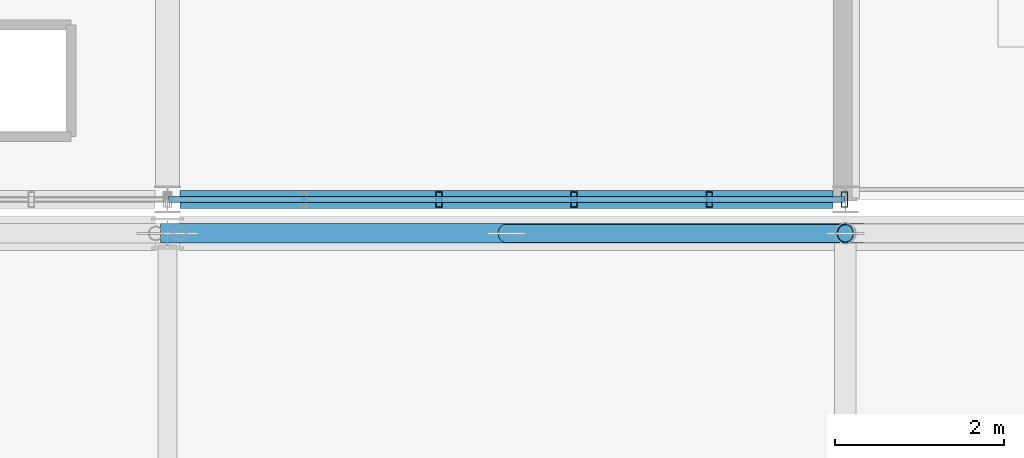
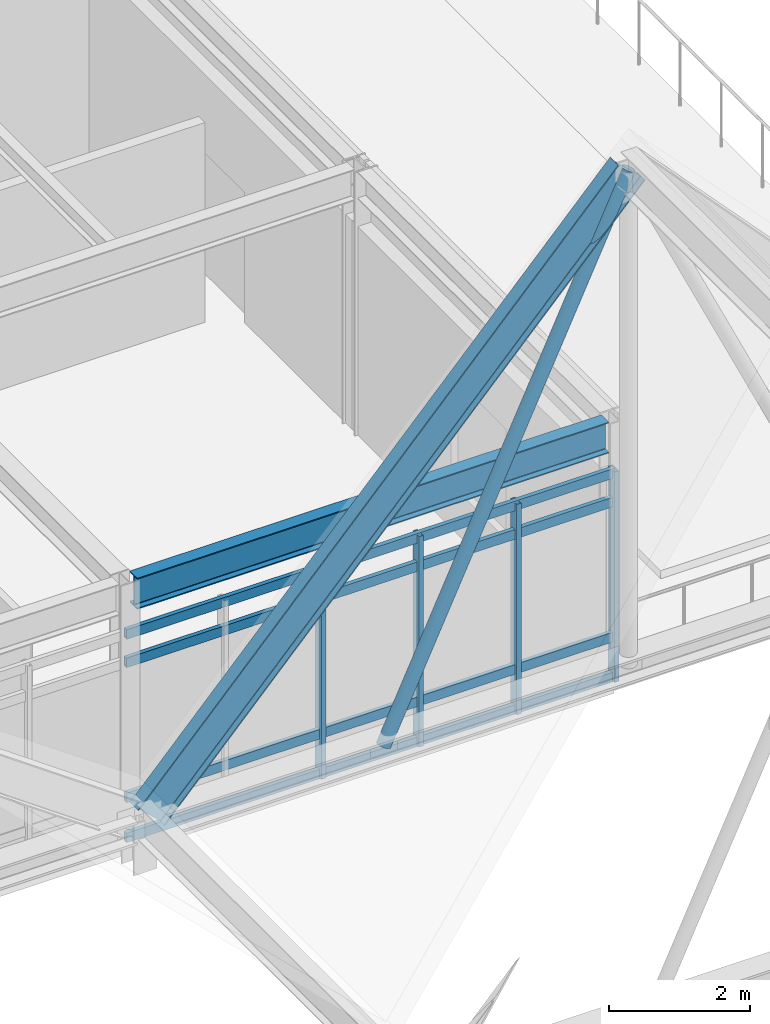
# One storey, part 60 of 100: 9 members, 2 beams, 1 element without a shape of its own.
"""IFC4 building model written with IfcOpenShell, lengths in metres."""

from ifc_helpers import new_model, si_unit, direction, frame, origin, origin_2d, place, context, subcontext, project, spatial, hollow_rectangle, hollow_circle, i_section, extrude, material, material_profile, profile_set, type_object, element, aggregate, save


model = new_model("IFC4")

# Units and contexts
model_context = context("Model", 3, precision=1e-05, world=origin(), true_north=direction((0.0, 1.0)))
body_context = subcontext(model_context, "Body", "Model", "MODEL_VIEW")
ifc_project = project(units=[si_unit("LENGTHUNIT", "METRE"), si_unit("AREAUNIT", "SQUARE_METRE"), si_unit("VOLUMEUNIT", "CUBIC_METRE"), si_unit("PLANEANGLEUNIT", "RADIAN"), si_unit("MASSUNIT", "GRAM", prefix="KILO")], contexts=[model_context])

# Site, building, storey
site_placement = place(None, origin())
site = spatial("IfcSite", under=ifc_project, at=site_placement, CompositionType="ELEMENT")
building_placement = place(site_placement, origin())
building = spatial("IfcBuilding", under=site, at=building_placement, Name="Zulena Civic Courthouse", CompositionType="ELEMENT")
storey_placement = place(building_placement, frame((0.0, 0.0, 20.39990234375)))
storey = spatial("IfcBuildingStorey", under=building, at=storey_placement, Name="L04", CompositionType="ELEMENT", Elevation=20.39990234375)

# Curtain wall, members
ifc_material_1 = material(Name="Double-silver low-E laminated solar-control glass", Category="glass")
curtain_wall_type = type_object("IfcCurtainWallType", Name="CW_7976x3635", PredefinedType="USERDEFINED", material=ifc_material_1)
curtain_wall_placement = place(storey_placement, origin())
curtain_wall = element("IfcCurtainWall", 1, at=curtain_wall_placement, inside=storey, type_object=curtain_wall_type, Name="cw:V3:L04:3:0", ObjectType="UNITISED CURTAIN WALL", PredefinedType="USERDEFINED")
ifc_material_2 = material(Name="Bronze anodised thermally broken aluminium AA6063-T6", Category="aluminium")
ifc_material_profile_1 = material_profile(ifc_material_2, hollow_rectangle(XDim=0.074951171875, YDim=0.179931640625, WallThickness=0.0048828125, at=origin_2d()), Name="CWM180X75X5")
ifc_profile_set_1 = profile_set([ifc_material_profile_1], Name="Bronze anodised thermally broken aluminium AA6063-T6")
member_type_1 = type_object("IfcMemberType", Name="CWMullion_180x75", PredefinedType="MULLION", material=ifc_profile_set_1)
member_1_placement = place(storey_placement, frame((163.988037109375, 30.800048828125, 0.0), z_axis=(0.0, 0.0, 1.0), x_axis=(1.0, 0.0, 0.0)))
member_1 = element("IfcMember", 2, at=member_1_placement, type_object=member_type_1, Name="cw:V3:L04:3:0:mull:0", PredefinedType="MULLION", context=body_context, shape_type="SweptSolid", body=[
    extrude(hollow_rectangle(XDim=0.074951171875, YDim=0.179931640625, WallThickness=0.0048828125, at=origin_2d()), origin(), (0.0, 0.0, 1.0), 3.635009765625),
])
member_2_placement = place(storey_placement, frame((162.392822265625, 30.800048828125, 0.0), z_axis=(0.0, 0.0, 1.0), x_axis=(1.0, 0.0, 0.0)))
member_2 = element("IfcMember", 3, at=member_2_placement, type_object=member_type_1, Name="cw:V3:L04:3:0:mull:1", PredefinedType="MULLION", context=body_context, shape_type="SweptSolid", body=[
    extrude(hollow_rectangle(XDim=0.074951171875, YDim=0.179931640625, WallThickness=0.0048828125, at=origin_2d()), origin(), (0.0, 0.0, 1.0), 3.635009765625),
])
member_3_placement = place(storey_placement, frame((160.797607421875, 30.800048828125, 0.0), z_axis=(0.0, 0.0, 1.0), x_axis=(1.0, 0.0, 0.0)))
member_3 = element("IfcMember", 4, at=member_3_placement, type_object=member_type_1, Name="cw:V3:L04:3:0:mull:2", PredefinedType="MULLION", context=body_context, shape_type="SweptSolid", body=[
    extrude(hollow_rectangle(XDim=0.074951171875, YDim=0.179931640625, WallThickness=0.0048828125, at=origin_2d()), origin(), (0.0, 0.0, 1.0), 3.635009765625),
])
member_4_placement = place(storey_placement, frame((159.202392578125, 30.800048828125, 0.0), z_axis=(0.0, 0.0, 1.0), x_axis=(1.0, 0.0, 0.0)))
member_4 = element("IfcMember", 5, at=member_4_placement, type_object=member_type_1, Name="cw:V3:L04:3:0:mull:3", PredefinedType="MULLION", context=body_context, shape_type="SweptSolid", body=[
    extrude(hollow_rectangle(XDim=0.074951171875, YDim=0.179931640625, WallThickness=0.0048828125, at=origin_2d()), origin(), (0.0, 0.0, 1.0), 3.635009765625),
])
ifc_material_profile_2 = material_profile(ifc_material_2, hollow_rectangle(XDim=0.070068359375, YDim=0.1650390625, WallThickness=0.00390625, at=origin_2d()), Name="CWT165X70X4")
ifc_profile_set_2 = profile_set([ifc_material_profile_2], Name="Bronze anodised thermally broken aluminium AA6063-T6")
member_type_2 = type_object("IfcMemberType", Name="CWTransom_165x70", PredefinedType="USERDEFINED", material=ifc_profile_set_2)
member_5_placement = place(storey_placement, frame((163.988037109375, 30.800048828125, 0.06005859375), z_axis=(-1.0, 0.0, 0.0), x_axis=(0.0, -1.0, 0.0)))
member_5 = element("IfcMember", 6, at=member_5_placement, type_object=member_type_2, Name="cw:V3:L04:3:0:tran:0", ObjectType="TRANSOM", PredefinedType="USERDEFINED", context=body_context, shape_type="SweptSolid", body=[
    extrude(hollow_rectangle(XDim=0.070068359375, YDim=0.1650390625, WallThickness=0.00390625, at=origin_2d()), origin(), (0.0, 0.0, 1.0), 7.97607421875),
])
member_6_placement = place(storey_placement, frame((163.988037109375, 30.800048828125, 0.75), z_axis=(-1.0, 0.0, 0.0), x_axis=(0.0, -1.0, 0.0)))
member_6 = element("IfcMember", 7, at=member_6_placement, type_object=member_type_2, Name="cw:V3:L04:3:0:tran:1", ObjectType="TRANSOM", PredefinedType="USERDEFINED", context=body_context, shape_type="SweptSolid", body=[
    extrude(hollow_rectangle(XDim=0.070068359375, YDim=0.1650390625, WallThickness=0.00390625, at=origin_2d()), origin(), (0.0, 0.0, 1.0), 7.97607421875),
])
member_7_placement = place(storey_placement, frame((163.988037109375, 30.800048828125, 3.085205078125), z_axis=(-1.0, 0.0, 0.0), x_axis=(0.0, -1.0, 0.0)))
member_7 = element("IfcMember", 8, at=member_7_placement, type_object=member_type_2, Name="cw:V3:L04:3:0:tran:2", ObjectType="TRANSOM", PredefinedType="USERDEFINED", context=body_context, shape_type="SweptSolid", body=[
    extrude(hollow_rectangle(XDim=0.070068359375, YDim=0.1650390625, WallThickness=0.00390625, at=origin_2d()), origin(), (0.0, 0.0, 1.0), 7.97607421875),
])
member_8_placement = place(storey_placement, frame((163.988037109375, 30.800048828125, 3.5751953125), z_axis=(-1.0, 0.0, 0.0), x_axis=(0.0, -1.0, 0.0)))
member_8 = element("IfcMember", 9, at=member_8_placement, type_object=member_type_2, Name="cw:V3:L04:3:0:tran:3", ObjectType="TRANSOM", PredefinedType="USERDEFINED", context=body_context, shape_type="SweptSolid", body=[
    extrude(hollow_rectangle(XDim=0.070068359375, YDim=0.1650390625, WallThickness=0.00390625, at=origin_2d()), origin(), (0.0, 0.0, 1.0), 7.97607421875),
])
aggregate(curtain_wall, [member_1, member_2, member_3, member_4, member_5, member_6, member_7, member_8])

# Beam
ifc_material_3 = material(Name="Steel ASTM A992 Grade 50", Category="steel")
ifc_material_profile_3 = material_profile(ifc_material_3, i_section(OverallWidth=0.22802734375, OverallDepth=0.60693359375, WebThickness=0.01123046875, FlangeThickness=0.017333984375, FilletRadius=0.0126953125, at=origin_2d()), Name="W24X76")
ifc_profile_set_3 = profile_set([ifc_material_profile_3], Name="Steel ASTM A992 Grade 50")
beam_type_1 = type_object("IfcBeamType", Name="RoofRafter_W24X76", PredefinedType="BEAM", material=ifc_profile_set_3)
beam_1_placement = place(storey_placement, frame((156.139892578125, 30.39990234375, 0.65625), z_axis=(0.682781141332, 0.0, 0.730622962301), x_axis=(0.0, 1.0, 0.0)))
element("IfcBeam", 10, at=beam_1_placement, inside=storey, type_object=beam_type_1, Name="beam:fold:rafW:07:30.4", PredefinedType="BEAM", context=body_context, shape_type="SweptSolid", body=[
    extrude(i_section(OverallWidth=0.22802734375, OverallDepth=0.60693359375, WebThickness=0.01123046875, FlangeThickness=0.017333984375, FilletRadius=0.0126953125, at=origin_2d()), origin(), (0.0, 0.0, 1.0), 11.497314453125),
])

# Member
ifc_material_4 = material(Name="Steel ASTM A500 Grade C", Category="steel")
ifc_material_profile_4 = material_profile(ifc_material_4, hollow_circle(Radius=0.109619140625, WallThickness=0.0087890625, at=origin_2d()), Name="HSS8.625X0.375")
ifc_profile_set_4 = profile_set([ifc_material_profile_4], Name="Steel ASTM A500 Grade C")
member_type_3 = type_object("IfcMemberType", Name="RoofWeb_CHS8", PredefinedType="USERDEFINED", material=ifc_profile_set_4)
member_9_placement = place(storey_placement, frame((160.0, 30.39990234375, 0.496337890625), z_axis=(0.423346552263, 0.0, 0.905967823208), x_axis=(0.0, 1.0, 0.0)))
element("IfcMember", 11, at=member_9_placement, inside=storey, type_object=member_type_3, Name="mem:fold:diagW:07:30.4", ObjectType="ROOF TRUSS", PredefinedType="USERDEFINED", context=body_context, shape_type="SweptSolid", body=[
    extrude(hollow_circle(Radius=0.109619140625, WallThickness=0.0087890625, at=origin_2d()), origin(), (0.0, 0.0, 1.0), 9.448486328125),
])

# Beam
ifc_material_profile_5 = material_profile(ifc_material_3, i_section(OverallWidth=0.2099609375, OverallDepth=0.537109375, WebThickness=0.010986328125, FlangeThickness=0.017333984375, FilletRadius=0.0126953125, at=origin_2d()), Name="W21X68")
ifc_profile_set_5 = profile_set([ifc_material_profile_5], Name="Steel ASTM A992 Grade 50")
beam_type_2 = type_object("IfcBeamType", Name="Spandrel_W21X68", PredefinedType="SPANDREL", material=ifc_profile_set_5)
beam_2_placement = place(storey_placement, frame((156.14501953125, 30.800048828125, 4.276611328125), z_axis=(1.0, 0.0, 0.0), x_axis=(0.0, 1.0, 0.0)))
element("IfcBeam", 12, at=beam_2_placement, inside=storey, type_object=beam_type_2, Name="beam:X:V3:L04:30.8:156.0_164.0", PredefinedType="SPANDREL", context=body_context, shape_type="SweptSolid", body=[
    extrude(i_section(OverallWidth=0.2099609375, OverallDepth=0.537109375, WebThickness=0.010986328125, FlangeThickness=0.017333984375, FilletRadius=0.0126953125, at=origin_2d()), origin(), (0.0, 0.0, 1.0), 7.7099609375),
])

save(model, "model.ifc")
